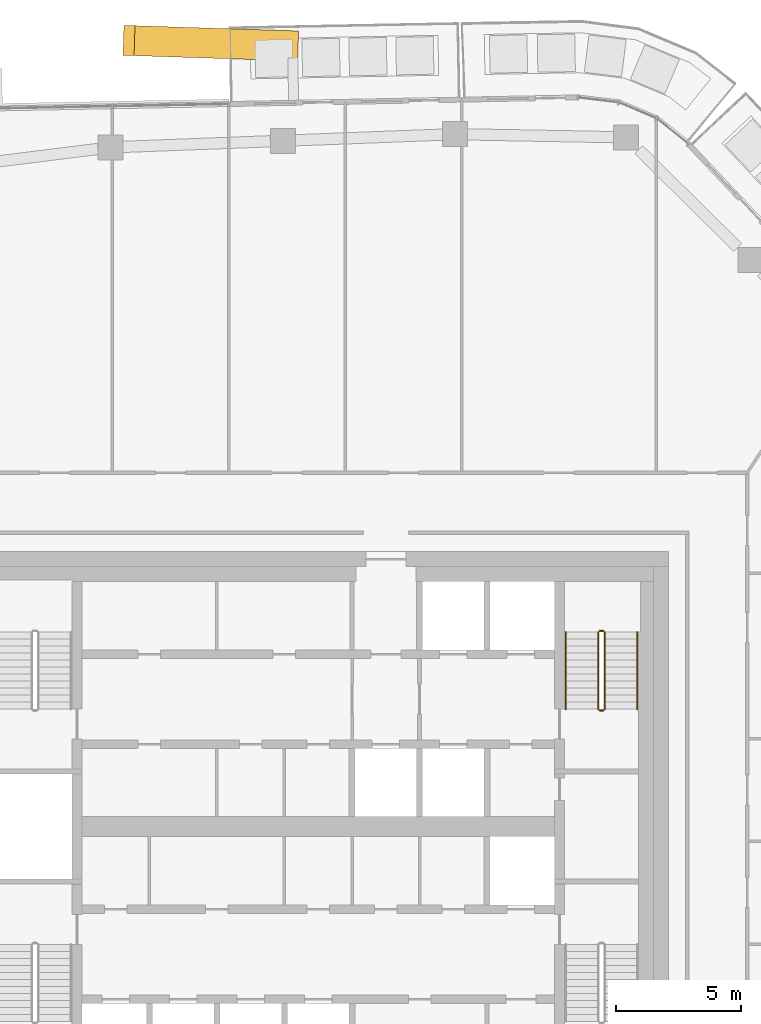
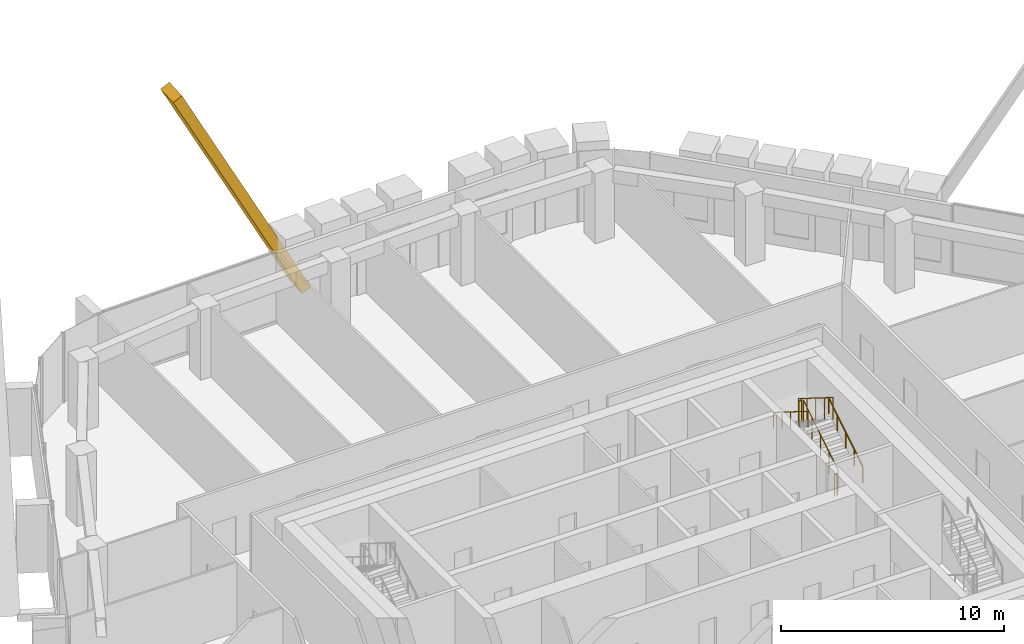
# One storey, part 23 of 24: 6 railings, 1 covering, 1 element without a shape of its own.
"""IFC4 building model written with IfcOpenShell, lengths in metres."""

from ifc_helpers import new_model, si_unit, direction, frame, origin, origin_2d, place, context, subcontext, project, spatial, rectangle, circle, extrude, material, layer, layer_set, material_profile, profile_set, type_object, element, aggregate, save


model = new_model("IFC4")

# Units and contexts
model_context = context("Model", 3, precision=1e-05, world=origin(), true_north=direction((0.0, 1.0)))
body_context = subcontext(model_context, "Body", "Model", "MODEL_VIEW")
ifc_project = project(units=[si_unit("LENGTHUNIT", "METRE"), si_unit("AREAUNIT", "SQUARE_METRE"), si_unit("VOLUMEUNIT", "CUBIC_METRE"), si_unit("PLANEANGLEUNIT", "RADIAN"), si_unit("MASSUNIT", "GRAM", prefix="KILO")], contexts=[model_context])

# Site, building, storey
site_placement = place(None, origin())
site = spatial("IfcSite", under=ifc_project, at=site_placement, CompositionType="ELEMENT")
building_placement = place(site_placement, origin())
building = spatial("IfcBuilding", under=site, at=building_placement, Name="Dongbaek Canopy Tower", CompositionType="ELEMENT")
storey_placement = place(building_placement, frame((0.0, 0.0, 298.39990234375)))
storey = spatial("IfcBuildingStorey", under=building, at=storey_placement, Name="L63", CompositionType="ELEMENT", Elevation=298.39990234375)

# Curtain wall, covering
ifc_material_1 = material(Name="Aluminium 6063-T6 pale anodised", Category="aluminium")
ifc_layer = layer(ifc_material_1, 0.199951171875)
ifc_layer_set = layer_set([ifc_layer], Name="CW-1 unitised tower curtain wall")
curtain_wall_type = type_object("IfcCurtainWallType", Name="CW-1 unitised tower curtain wall", PredefinedType="NOTDEFINED", material=ifc_layer_set)
curtain_wall_placement = place(storey_placement, origin())
curtain_wall = element("IfcCurtainWall", 1, at=curtain_wall_placement, inside=storey, type_object=curtain_wall_type, Name="CW-1 curtain wall F1.1", PredefinedType="NOTDEFINED")
ifc_material_2 = material(Name="Aluminium 6063-T6 pale metal fin", Category="aluminium")
ifc_material_profile = material_profile(ifc_material_2, rectangle(XDim=1.199951171875, YDim=0.5, at=origin_2d()), Name="Crease fin CF1 500 x 1200 pale metal")
ifc_profile_set = profile_set([ifc_material_profile], Name="Aluminium 6063-T6 pale metal fin")
covering_type = type_object("IfcCoveringType", Name="Crease fin CF1 500 x 1200 pale metal", PredefinedType="CLADDING", material=ifc_profile_set)
covering_placement = place(storey_placement, frame((-1.027587890625, 31.225341796875, -0.18994140625), z_axis=(-0.46066235748, 0.014925529164, 0.887449954071), x_axis=(-0.03238315634, -0.999475528057, 0.0)))
covering = element("IfcCovering", 2, at=covering_placement, type_object=covering_type, Name="Crease fin L63 L66 F1", PredefinedType="CLADDING", context=body_context, shape_type="SweptSolid", body=[
    extrude(rectangle(XDim=1.199951171875, YDim=0.5, at=origin_2d()), origin(), (0.0, 0.0, 1.0), 14.197998046875),
])
aggregate(curtain_wall, [covering])

# Railings
ifc_material_3 = material(Name="Stainless steel tube and balusters", Category="steel")
railing_type_1 = type_object("IfcRailingType", Name="Stair guard 1200", PredefinedType="GUARDRAIL", material=ifc_material_3)
railing_1_placement = place(storey_placement, frame((11.449951171875, 4.699951171875, 0.175048828125)))
element("IfcRailing", 3, at=railing_1_placement, inside=storey, type_object=railing_type_1, Name="L63 ST-A stair guard 1", PredefinedType="GUARDRAIL", context=body_context, shape_type="SweptSolid", body=[
    extrude(circle(Radius=0.02392578125, at=origin_2d()), frame((0.0, 0.0, 1.17578125), z_axis=(0.0, 0.847998304005, 0.529998940003), x_axis=(-1.0, 0.0, 0.0)), (0.0, 0.0, 1.0), 3.632080078125),
    extrude(circle(Radius=0.02099609375, at=origin_2d()), origin(), (0.0, 0.0, 1.0), 1.15185546875),
    extrude(circle(Radius=0.02099609375, at=origin_2d()), frame((0.0, 0.77001953125, 0.481201171875)), (0.0, 0.0, 1.0), 1.15185546875),
    extrude(circle(Radius=0.02099609375, at=origin_2d()), frame((0.0, 1.5400390625, 0.96240234375)), (0.0, 0.0, 1.0), 1.15185546875),
    extrude(circle(Radius=0.02099609375, at=origin_2d()), frame((0.0, 2.31005859375, 1.44384765625)), (0.0, 0.0, 1.0), 1.15185546875),
    extrude(circle(Radius=0.02099609375, at=origin_2d()), frame((0.0, 3.080078125, 1.925048828125)), (0.0, 0.0, 1.0), 1.15185546875),
])
railing_2_placement = place(storey_placement, frame((11.39990234375, 7.830078125, 2.10009765625)))
element("IfcRailing", 4, at=railing_2_placement, inside=storey, type_object=railing_type_1, Name="L63 ST-A stair guard 2", PredefinedType="GUARDRAIL", context=body_context, shape_type="SweptSolid", body=[
    extrude(circle(Radius=0.02392578125, at=origin_2d()), frame((0.0, 0.0, 1.17578125), z_axis=(-1.0, 0.0, 0.0), x_axis=(0.0, -1.0, 0.0)), (0.0, 0.0, 1.0), 0.14990234375),
    extrude(circle(Radius=0.02099609375, at=origin_2d()), origin(), (0.0, 0.0, 1.0), 1.15185546875),
    extrude(circle(Radius=0.02099609375, at=origin_2d()), frame((-0.14990234375, 0.0, 0.0)), (0.0, 0.0, 1.0), 1.15185546875),
])
railing_3_placement = place(storey_placement, frame((11.199951171875, 7.780029296875, 2.275146484375)))
element("IfcRailing", 5, at=railing_3_placement, inside=storey, type_object=railing_type_1, Name="L63 ST-A stair guard 3", PredefinedType="GUARDRAIL", context=body_context, shape_type="SweptSolid", body=[
    extrude(circle(Radius=0.02392578125, at=origin_2d()), frame((0.0, 0.0, 1.17578125), z_axis=(0.0, -0.847998304005, 0.529998940003), x_axis=(1.0, 0.0, 0.0)), (0.0, 0.0, 1.0), 3.632080078125),
    extrude(circle(Radius=0.02099609375, at=origin_2d()), origin(), (0.0, 0.0, 1.0), 1.15185546875),
    extrude(circle(Radius=0.02099609375, at=origin_2d()), frame((0.0, -0.77001953125, 0.481201171875)), (0.0, 0.0, 1.0), 1.15185546875),
    extrude(circle(Radius=0.02099609375, at=origin_2d()), frame((0.0, -1.5400390625, 0.96240234375)), (0.0, 0.0, 1.0), 1.15185546875),
    extrude(circle(Radius=0.02099609375, at=origin_2d()), frame((0.0, -2.31005859375, 1.44384765625)), (0.0, 0.0, 1.0), 1.15185546875),
    extrude(circle(Radius=0.02099609375, at=origin_2d()), frame((0.0, -3.080078125, 1.925048828125)), (0.0, 0.0, 1.0), 1.15185546875),
])
railing_4_placement = place(storey_placement, frame((11.39990234375, 4.64990234375, 0.0)))
element("IfcRailing", 6, at=railing_4_placement, inside=storey, type_object=railing_type_1, Name="L63 ST-A stair guard 4", PredefinedType="GUARDRAIL", context=body_context, shape_type="SweptSolid", body=[
    extrude(circle(Radius=0.02392578125, at=origin_2d()), frame((0.0, 0.0, 1.17578125), z_axis=(-1.0, 0.0, 0.0), x_axis=(0.0, -1.0, 0.0)), (0.0, 0.0, 1.0), 0.14990234375),
    extrude(circle(Radius=0.02099609375, at=origin_2d()), origin(), (0.0, 0.0, 1.0), 1.15185546875),
    extrude(circle(Radius=0.02099609375, at=origin_2d()), frame((-0.14990234375, 0.0, 0.0)), (0.0, 0.0, 1.0), 1.15185546875),
])
ifc_material_4 = material(Name="Stainless steel tube", Category="steel")
railing_type_2 = type_object("IfcRailingType", Name="Stair handrail 900", PredefinedType="HANDRAIL", material=ifc_material_4)
railing_5_placement = place(storey_placement, frame((12.75, 4.699951171875, 0.175048828125)))
element("IfcRailing", 7, at=railing_5_placement, inside=storey, type_object=railing_type_2, Name="L63 ST-A stair handrail 1", PredefinedType="HANDRAIL", context=body_context, shape_type="SweptSolid", body=[
    extrude(circle(Radius=0.02392578125, at=origin_2d()), frame((0.0, 0.0, 0.8759765625), z_axis=(0.0, 0.847998304005, 0.529998940003), x_axis=(-1.0, 0.0, 0.0)), (0.0, 0.0, 1.0), 3.632080078125),
    extrude(circle(Radius=0.02099609375, at=origin_2d()), origin(), (0.0, 0.0, 1.0), 0.851806640625),
    extrude(circle(Radius=0.02099609375, at=origin_2d()), frame((0.0, 0.77001953125, 0.481201171875)), (0.0, 0.0, 1.0), 0.851806640625),
    extrude(circle(Radius=0.02099609375, at=origin_2d()), frame((0.0, 1.5400390625, 0.96240234375)), (0.0, 0.0, 1.0), 0.851806640625),
    extrude(circle(Radius=0.02099609375, at=origin_2d()), frame((0.0, 2.31005859375, 1.44384765625)), (0.0, 0.0, 1.0), 0.851806640625),
    extrude(circle(Radius=0.02099609375, at=origin_2d()), frame((0.0, 3.080078125, 1.925048828125)), (0.0, 0.0, 1.0), 0.851806640625),
])
railing_6_placement = place(storey_placement, frame((9.89990234375, 7.780029296875, 2.275146484375)))
element("IfcRailing", 8, at=railing_6_placement, inside=storey, type_object=railing_type_2, Name="L63 ST-A stair handrail 2", PredefinedType="HANDRAIL", context=body_context, shape_type="SweptSolid", body=[
    extrude(circle(Radius=0.02392578125, at=origin_2d()), frame((0.0, 0.0, 0.8759765625), z_axis=(0.0, -0.847998304005, 0.529998940003), x_axis=(1.0, 0.0, 0.0)), (0.0, 0.0, 1.0), 3.632080078125),
    extrude(circle(Radius=0.02099609375, at=origin_2d()), origin(), (0.0, 0.0, 1.0), 0.851806640625),
    extrude(circle(Radius=0.02099609375, at=origin_2d()), frame((0.0, -0.77001953125, 0.481201171875)), (0.0, 0.0, 1.0), 0.851806640625),
    extrude(circle(Radius=0.02099609375, at=origin_2d()), frame((0.0, -1.5400390625, 0.96240234375)), (0.0, 0.0, 1.0), 0.851806640625),
    extrude(circle(Radius=0.02099609375, at=origin_2d()), frame((0.0, -2.31005859375, 1.44384765625)), (0.0, 0.0, 1.0), 0.851806640625),
    extrude(circle(Radius=0.02099609375, at=origin_2d()), frame((0.0, -3.080078125, 1.925048828125)), (0.0, 0.0, 1.0), 0.851806640625),
])

save(model, "model.ifc")
